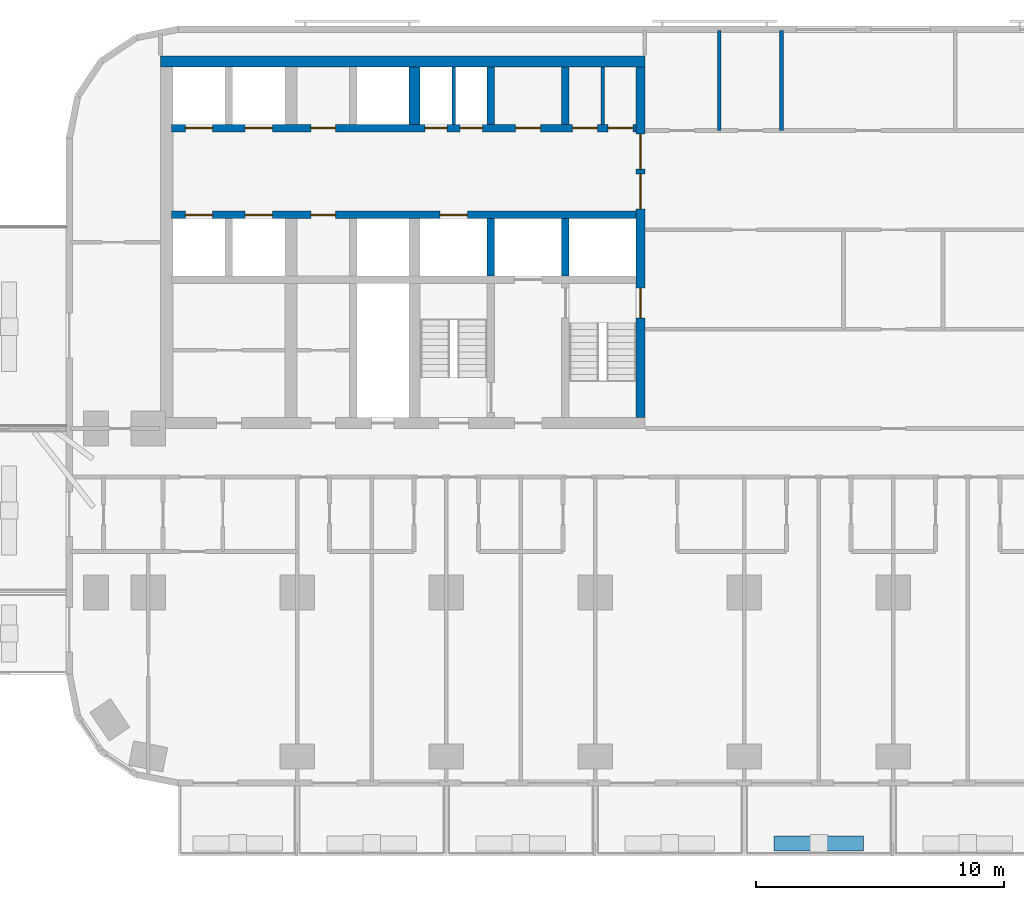
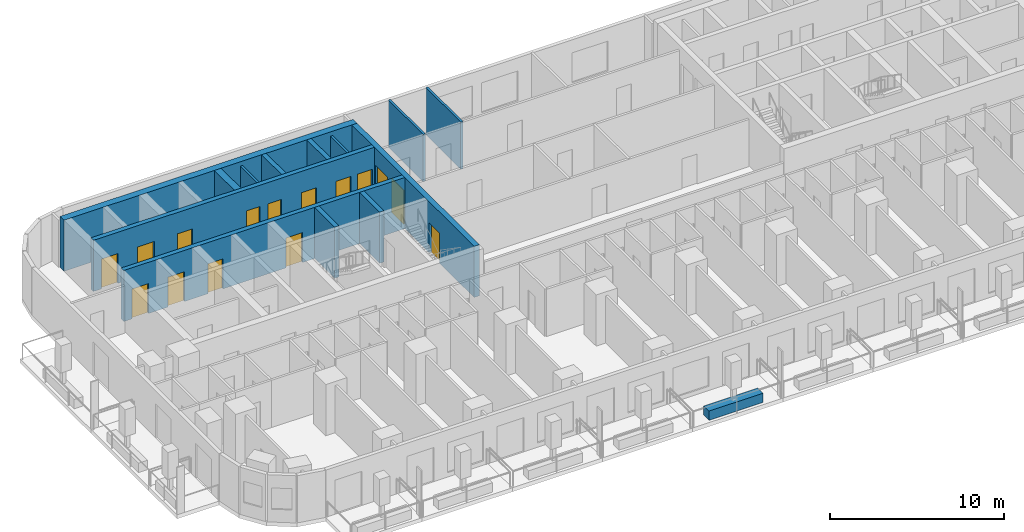
# One storey, part 4 of 15: 15 doors, 14 walls, 15 openings.
"""IFC4 building model written with IfcOpenShell, lengths in metres."""

from ifc_helpers import new_model, si_unit, direction, frame, frame_2d, origin, place, context, subcontext, project, spatial, rectangle, extrude, material, layer, layer_set, type_object, element, fill, save


model = new_model("IFC4")

# Units and contexts
model_context = context("Model", 3, precision=1e-05, world=origin(), true_north=direction((0.0, 1.0)))
body_context = subcontext(model_context, "Body", "Model", "MODEL_VIEW")
ifc_project = project(units=[si_unit("LENGTHUNIT", "METRE"), si_unit("AREAUNIT", "SQUARE_METRE"), si_unit("VOLUMEUNIT", "CUBIC_METRE"), si_unit("PLANEANGLEUNIT", "RADIAN"), si_unit("MASSUNIT", "GRAM", prefix="KILO")], contexts=[model_context])

# Site, building, storey
site_placement = place(None, origin())
site = spatial("IfcSite", under=ifc_project, at=site_placement, CompositionType="ELEMENT")
building_placement = place(site_placement, origin())
building = spatial("IfcBuilding", under=site, at=building_placement, Name="Torana Hotel and Residences", CompositionType="ELEMENT")
storey_placement = place(building_placement, frame((0.0, 0.0, 24.0)))
storey = spatial("IfcBuildingStorey", under=building, at=storey_placement, Name="L04", CompositionType="ELEMENT", Elevation=24.0)

# Wall, openings, doors
ifc_material_1 = material(Name="Concrete C80/95", Category="concrete")
ifc_layer_1 = layer(ifc_material_1, 0.300048828125)
ifc_layer_set_1 = layer_set([ifc_layer_1], Name="CORE WALL 300 C80/95")
wall_type_1 = type_object("IfcWallType", Name="CORE WALL 300 C80/95", PredefinedType="SHEAR", material=ifc_layer_set_1)
wall_1_placement = place(storey_placement, frame((-29.050048828125, -2.89990234375, 0.0), z_axis=(0.0, 0.0, 1.0), x_axis=(1.0, 0.0, 0.0)))
wall_1 = element("IfcWall", 1, at=wall_1_placement, inside=storey, type_object=wall_type_1, Name="Core wall W row-N", PredefinedType="SHEAR", context=body_context, shape_type="SweptSolid", body=[
    extrude(rectangle(XDim=18.699951171875, YDim=0.300048828125, at=frame_2d((9.35009765625, 0.0))), origin(), (0.0, 0.0, 1.0), 3.60009765625),
])
opening_1_placement = place(wall_1_placement, frame((2.949951171875, 0.0, 0.0)))
opening_1 = element("IfcOpeningElement", 2, at=opening_1_placement, cuts=wall_1, Name="Opening LD", PredefinedType="OPENING", context=body_context, shape_type="SweptSolid", body=[
    extrude(rectangle(XDim=1.10009765625, YDim=2.10009765625, at=frame_2d((0.550048828125, 1.050048828125))), frame((0.0, 0.159912109375, 0.0), z_axis=(0.0, -1.0, 0.0), x_axis=(1.0, 0.0, 0.0)), (0.0, 0.0, 1.0), 0.320068359375),
])
opening_2_placement = place(wall_1_placement, frame((0.550048828125, 0.0, 0.0)))
opening_2 = element("IfcOpeningElement", 3, at=opening_2_placement, cuts=wall_1, Name="Opening LD", PredefinedType="OPENING", context=body_context, shape_type="SweptSolid", body=[
    extrude(rectangle(XDim=1.10009765625, YDim=2.10009765625, at=frame_2d((0.550048828125, 1.050048828125))), frame((0.0, 0.159912109375, 0.0), z_axis=(0.0, -1.0, 0.0), x_axis=(1.0, 0.0, 0.0)), (0.0, 0.0, 1.0), 0.320068359375),
])
opening_3_placement = place(wall_1_placement, frame((11.612548828125, 0.0, 0.0)))
opening_3 = element("IfcOpeningElement", 4, at=opening_3_placement, cuts=wall_1, Name="Opening L04-09", PredefinedType="OPENING", context=body_context, shape_type="SweptSolid", body=[
    extrude(rectangle(XDim=0.89990234375, YDim=2.10009765625, at=frame_2d((0.449951171875, 1.050048828125))), frame((0.0, 0.159912109375, 0.0), z_axis=(0.0, -1.0, 0.0), x_axis=(1.0, 0.0, 0.0)), (0.0, 0.0, 1.0), 0.320068359375),
])
opening_4_placement = place(wall_1_placement, frame((10.1875, 0.0, 0.0)))
opening_4 = element("IfcOpeningElement", 5, at=opening_4_placement, cuts=wall_1, Name="Opening L04-10", PredefinedType="OPENING", context=body_context, shape_type="SweptSolid", body=[
    extrude(rectangle(XDim=0.89990234375, YDim=2.10009765625, at=frame_2d((0.449951171875, 1.050048828125))), frame((0.0, 0.159912109375, 0.0), z_axis=(0.0, -1.0, 0.0), x_axis=(1.0, 0.0, 0.0)), (0.0, 0.0, 1.0), 0.320068359375),
])
opening_5_placement = place(wall_1_placement, frame((17.5625, 0.0, 0.0)))
opening_5 = element("IfcOpeningElement", 6, at=opening_5_placement, cuts=wall_1, Name="Opening L04-11", PredefinedType="OPENING", context=body_context, shape_type="SweptSolid", body=[
    extrude(rectangle(XDim=1.0, YDim=2.10009765625, at=frame_2d((0.5, 1.050048828125))), frame((0.0, 0.159912109375, 0.0), z_axis=(0.0, -1.0, 0.0), x_axis=(1.0, 0.0, 0.0)), (0.0, 0.0, 1.0), 0.320068359375),
])
opening_6_placement = place(wall_1_placement, frame((16.137451171875, 0.0, 0.0)))
opening_6 = element("IfcOpeningElement", 7, at=opening_6_placement, cuts=wall_1, Name="Opening L04-12", PredefinedType="OPENING", context=body_context, shape_type="SweptSolid", body=[
    extrude(rectangle(XDim=1.0, YDim=2.10009765625, at=frame_2d((0.5, 1.050048828125))), frame((0.0, 0.159912109375, 0.0), z_axis=(0.0, -1.0, 0.0), x_axis=(1.0, 0.0, 0.0)), (0.0, 0.0, 1.0), 0.320068359375),
])
opening_7_placement = place(wall_1_placement, frame((13.85009765625, 0.0, 0.0)))
opening_7 = element("IfcOpeningElement", 8, at=opening_7_placement, cuts=wall_1, Name="Opening L04-13", PredefinedType="OPENING", context=body_context, shape_type="SweptSolid", body=[
    extrude(rectangle(XDim=1.0, YDim=2.10009765625, at=frame_2d((0.5, 1.050048828125))), frame((0.0, 0.159912109375, 0.0), z_axis=(0.0, -1.0, 0.0), x_axis=(1.0, 0.0, 0.0)), (0.0, 0.0, 1.0), 0.320068359375),
])
opening_8_placement = place(wall_1_placement, frame((5.60009765625, 0.0, 0.0)))
opening_8 = element("IfcOpeningElement", 9, at=opening_8_placement, cuts=wall_1, Name="Opening L04-14", PredefinedType="OPENING", context=body_context, shape_type="SweptSolid", body=[
    extrude(rectangle(XDim=1.0, YDim=2.10009765625, at=frame_2d((0.5, 1.050048828125))), frame((0.0, 0.159912109375, 0.0), z_axis=(0.0, -1.0, 0.0), x_axis=(1.0, 0.0, 0.0)), (0.0, 0.0, 1.0), 0.320068359375),
])
ifc_material_2 = material(Name="Steel S235", Category="steel")
door_type_1 = type_object("IfcDoorType", Name="CORE ROOM FIRE DOOR D14 1000x2100", OperationType="SINGLE_SWING_LEFT", PredefinedType="DOOR", material=ifc_material_2)
door_1_placement = place(opening_5_placement, origin())
door_1 = element("IfcDoor", 10, at=door_1_placement, inside=storey, type_object=door_type_1, Name="N0A door L04", OperationType="SINGLE_SWING_RIGHT", OverallHeight=2.10009765625, OverallWidth=1.0, PredefinedType="DOOR", context=body_context, shape_type="SweptSolid", body=[
    extrude(rectangle(XDim=1.0, YDim=2.10009765625, at=frame_2d((0.5, 1.050048828125))), frame((0.0, 0.02490234375, 0.0), z_axis=(0.0, -1.0, 0.0), x_axis=(1.0, 0.0, 0.0)), (0.0, 0.0, 1.0), 0.050048828125),
])
fill(opening_5, door_1)
door_2_placement = place(opening_6_placement, origin())
door_2 = element("IfcDoor", 11, at=door_2_placement, inside=storey, type_object=door_type_1, Name="N0B door L04", OperationType="SINGLE_SWING_RIGHT", OverallHeight=2.10009765625, OverallWidth=1.0, PredefinedType="DOOR", context=body_context, shape_type="SweptSolid", body=[
    extrude(rectangle(XDim=1.0, YDim=2.10009765625, at=frame_2d((0.5, 1.050048828125))), frame((0.0, 0.02490234375, 0.0), z_axis=(0.0, -1.0, 0.0), x_axis=(1.0, 0.0, 0.0)), (0.0, 0.0, 1.0), 0.050048828125),
])
fill(opening_6, door_2)
door_3_placement = place(opening_7_placement, origin())
door_3 = element("IfcDoor", 12, at=door_3_placement, inside=storey, type_object=door_type_1, Name="N1 door L04", OperationType="SINGLE_SWING_RIGHT", OverallHeight=2.10009765625, OverallWidth=1.0, PredefinedType="DOOR", context=body_context, shape_type="SweptSolid", body=[
    extrude(rectangle(XDim=1.0, YDim=2.10009765625, at=frame_2d((0.5, 1.050048828125))), frame((0.0, 0.02490234375, 0.0), z_axis=(0.0, -1.0, 0.0), x_axis=(1.0, 0.0, 0.0)), (0.0, 0.0, 1.0), 0.050048828125),
])
fill(opening_7, door_3)
door_4_placement = place(opening_8_placement, origin())
door_4 = element("IfcDoor", 13, at=door_4_placement, inside=storey, type_object=door_type_1, Name="Free-M1 door L04", OperationType="SINGLE_SWING_RIGHT", OverallHeight=2.10009765625, OverallWidth=1.0, PredefinedType="DOOR", context=body_context, shape_type="SweptSolid", body=[
    extrude(rectangle(XDim=1.0, YDim=2.10009765625, at=frame_2d((0.5, 1.050048828125))), frame((0.0, 0.02490234375, 0.0), z_axis=(0.0, -1.0, 0.0), x_axis=(1.0, 0.0, 0.0)), (0.0, 0.0, 1.0), 0.050048828125),
])
fill(opening_8, door_4)
ifc_material_3 = material(Name="Stainless steel 316", Category="steel")
door_type_2 = type_object("IfcDoorType", Name="LIFT LANDING DOOR LD 1100x2100", OperationType="DOUBLE_DOOR_SLIDING", PredefinedType="USERDEFINED", material=ifc_material_3)
door_5_placement = place(opening_1_placement, origin())
door_5 = element("IfcDoor", 14, at=door_5_placement, inside=storey, type_object=door_type_2, Name="Lift landing door L1 L04", ObjectType="LIFT LANDING DOOR", OperationType="DOUBLE_DOOR_SLIDING", OverallHeight=2.10009765625, OverallWidth=1.10009765625, PredefinedType="USERDEFINED", context=body_context, shape_type="SweptSolid", body=[
    extrude(rectangle(XDim=1.10009765625, YDim=2.10009765625, at=frame_2d((0.550048828125, 1.050048828125))), frame((0.0, 0.02490234375, 0.0), z_axis=(0.0, -1.0, 0.0), x_axis=(1.0, 0.0, 0.0)), (0.0, 0.0, 1.0), 0.050048828125),
])
fill(opening_1, door_5)
door_6_placement = place(opening_2_placement, origin())
door_6 = element("IfcDoor", 15, at=door_6_placement, inside=storey, type_object=door_type_2, Name="Lift landing door L2 L04", ObjectType="LIFT LANDING DOOR", OperationType="DOUBLE_DOOR_SLIDING", OverallHeight=2.10009765625, OverallWidth=1.10009765625, PredefinedType="USERDEFINED", context=body_context, shape_type="SweptSolid", body=[
    extrude(rectangle(XDim=1.10009765625, YDim=2.10009765625, at=frame_2d((0.550048828125, 1.050048828125))), frame((0.0, 0.02490234375, 0.0), z_axis=(0.0, -1.0, 0.0), x_axis=(1.0, 0.0, 0.0)), (0.0, 0.0, 1.0), 0.050048828125),
])
fill(opening_2, door_6)
ifc_material_4 = material(Name="Steel S235", Category="steel")
door_type_3 = type_object("IfcDoorType", Name="RISER ACCESS DOOR D5 900x2100", OperationType="SINGLE_SWING_LEFT", PredefinedType="DOOR", material=ifc_material_4)
door_7_placement = place(opening_3_placement, origin())
door_7 = element("IfcDoor", 16, at=door_7_placement, inside=storey, type_object=door_type_3, Name="N2A door L04", OperationType="SINGLE_SWING_RIGHT", OverallHeight=2.10009765625, OverallWidth=0.89990234375, PredefinedType="DOOR", context=body_context, shape_type="SweptSolid", body=[
    extrude(rectangle(XDim=0.89990234375, YDim=2.10009765625, at=frame_2d((0.449951171875, 1.050048828125))), frame((0.0, 0.02490234375, 0.0), z_axis=(0.0, -1.0, 0.0), x_axis=(1.0, 0.0, 0.0)), (0.0, 0.0, 1.0), 0.050048828125),
])
fill(opening_3, door_7)
door_8_placement = place(opening_4_placement, origin())
door_8 = element("IfcDoor", 17, at=door_8_placement, inside=storey, type_object=door_type_3, Name="N2B door L04", OperationType="SINGLE_SWING_RIGHT", OverallHeight=2.10009765625, OverallWidth=0.89990234375, PredefinedType="DOOR", context=body_context, shape_type="SweptSolid", body=[
    extrude(rectangle(XDim=0.89990234375, YDim=2.10009765625, at=frame_2d((0.449951171875, 1.050048828125))), frame((0.0, 0.02490234375, 0.0), z_axis=(0.0, -1.0, 0.0), x_axis=(1.0, 0.0, 0.0)), (0.0, 0.0, 1.0), 0.050048828125),
])
fill(opening_4, door_8)

wall_2_placement = place(storey_placement, frame((-29.050048828125, -6.39990234375, 0.0), z_axis=(0.0, 0.0, 1.0), x_axis=(1.0, 0.0, 0.0)))
wall_2 = element("IfcWall", 18, at=wall_2_placement, inside=storey, type_object=wall_type_1, Name="Core wall W row-S", PredefinedType="SHEAR", context=body_context, shape_type="SweptSolid", body=[
    extrude(rectangle(XDim=18.699951171875, YDim=0.300048828125, at=frame_2d((9.35009765625, 0.0))), origin(), (0.0, 0.0, 1.0), 3.60009765625),
])
opening_9_placement = place(wall_2_placement, frame((2.949951171875, 0.0, 0.0)))
opening_9 = element("IfcOpeningElement", 19, at=opening_9_placement, cuts=wall_2, Name="Opening LD", PredefinedType="OPENING", context=body_context, shape_type="SweptSolid", body=[
    extrude(rectangle(XDim=1.10009765625, YDim=2.10009765625, at=frame_2d((0.550048828125, 1.050048828125))), frame((0.0, 0.159912109375, 0.0), z_axis=(0.0, -1.0, 0.0), x_axis=(1.0, 0.0, 0.0)), (0.0, 0.0, 1.0), 0.320068359375),
])
opening_10_placement = place(wall_2_placement, frame((0.550048828125, 0.0, 0.0)))
opening_10 = element("IfcOpeningElement", 20, at=opening_10_placement, cuts=wall_2, Name="Opening LD", PredefinedType="OPENING", context=body_context, shape_type="SweptSolid", body=[
    extrude(rectangle(XDim=1.10009765625, YDim=2.10009765625, at=frame_2d((0.550048828125, 1.050048828125))), frame((0.0, 0.159912109375, 0.0), z_axis=(0.0, -1.0, 0.0), x_axis=(1.0, 0.0, 0.0)), (0.0, 0.0, 1.0), 0.320068359375),
])
opening_11_placement = place(wall_2_placement, frame((10.800048828125, 0.0, 0.0)))
opening_11 = element("IfcOpeningElement", 21, at=opening_11_placement, cuts=wall_2, Name="Opening LD", PredefinedType="OPENING", context=body_context, shape_type="SweptSolid", body=[
    extrude(rectangle(XDim=1.10009765625, YDim=2.10009765625, at=frame_2d((0.550048828125, 1.050048828125))), frame((0.0, 0.159912109375, 0.0), z_axis=(0.0, -1.0, 0.0), x_axis=(1.0, 0.0, 0.0)), (0.0, 0.0, 1.0), 0.320068359375),
])
opening_12_placement = place(wall_2_placement, frame((5.60009765625, 0.0, 0.0)))
opening_12 = element("IfcOpeningElement", 22, at=opening_12_placement, cuts=wall_2, Name="Opening L04-15", PredefinedType="OPENING", context=body_context, shape_type="SweptSolid", body=[
    extrude(rectangle(XDim=1.0, YDim=2.10009765625, at=frame_2d((0.5, 1.050048828125))), frame((0.0, 0.159912109375, 0.0), z_axis=(0.0, -1.0, 0.0), x_axis=(1.0, 0.0, 0.0)), (0.0, 0.0, 1.0), 0.320068359375),
])
door_9_placement = place(opening_12_placement, frame((0.5, 0.0, 0.0), z_axis=(0.0, 0.0, 1.0), x_axis=(-1.0, 0.0, 0.0)))
door_9 = element("IfcDoor", 23, at=door_9_placement, inside=storey, type_object=door_type_1, Name="Free-M2 door L04", OperationType="SINGLE_SWING_LEFT", OverallHeight=2.10009765625, OverallWidth=1.0, PredefinedType="DOOR", context=body_context, shape_type="SweptSolid", body=[
    extrude(rectangle(XDim=1.0, YDim=2.10009765625, at=frame_2d((0.0, 1.050048828125))), frame((0.0, -0.02490234375, 0.0), z_axis=(0.0, 1.0, 0.0), x_axis=(-1.0, 0.0, 0.0)), (0.0, 0.0, 1.0), 0.050048828125),
])
fill(opening_12, door_9)
door_10_placement = place(opening_9_placement, origin())
door_10 = element("IfcDoor", 24, at=door_10_placement, inside=storey, type_object=door_type_2, Name="Lift landing door L3 L04", ObjectType="LIFT LANDING DOOR", OperationType="DOUBLE_DOOR_SLIDING", OverallHeight=2.10009765625, OverallWidth=1.10009765625, PredefinedType="USERDEFINED", context=body_context, shape_type="SweptSolid", body=[
    extrude(rectangle(XDim=1.10009765625, YDim=2.10009765625, at=frame_2d((0.550048828125, 1.050048828125))), frame((0.0, 0.02490234375, 0.0), z_axis=(0.0, -1.0, 0.0), x_axis=(1.0, 0.0, 0.0)), (0.0, 0.0, 1.0), 0.050048828125),
])
fill(opening_9, door_10)
door_11_placement = place(opening_10_placement, origin())
door_11 = element("IfcDoor", 25, at=door_11_placement, inside=storey, type_object=door_type_2, Name="Lift landing door L4 L04", ObjectType="LIFT LANDING DOOR", OperationType="DOUBLE_DOOR_SLIDING", OverallHeight=2.10009765625, OverallWidth=1.10009765625, PredefinedType="USERDEFINED", context=body_context, shape_type="SweptSolid", body=[
    extrude(rectangle(XDim=1.10009765625, YDim=2.10009765625, at=frame_2d((0.550048828125, 1.050048828125))), frame((0.0, 0.02490234375, 0.0), z_axis=(0.0, -1.0, 0.0), x_axis=(1.0, 0.0, 0.0)), (0.0, 0.0, 1.0), 0.050048828125),
])
fill(opening_10, door_11)
door_12_placement = place(opening_11_placement, origin())
door_12 = element("IfcDoor", 26, at=door_12_placement, inside=storey, type_object=door_type_2, Name="Lift landing door SV1 L04", ObjectType="LIFT LANDING DOOR", OperationType="DOUBLE_DOOR_SLIDING", OverallHeight=2.10009765625, OverallWidth=1.10009765625, PredefinedType="USERDEFINED", context=body_context, shape_type="SweptSolid", body=[
    extrude(rectangle(XDim=1.10009765625, YDim=2.10009765625, at=frame_2d((0.550048828125, 1.050048828125))), frame((0.0, 0.02490234375, 0.0), z_axis=(0.0, -1.0, 0.0), x_axis=(1.0, 0.0, 0.0)), (0.0, 0.0, 1.0), 0.050048828125),
])
fill(opening_11, door_12)

# Walls
for number, where, z_axis, x_axis, name in (
    (27, (-13.199951171875, -2.75, 0.0), (0.0, 0.0, 1.0), (0.0, 1.0, 0.0), "Core wall W x3.05-N"),
    (28, (-13.199951171875, -8.85009765625, 0.0), (0.0, 0.0, 1.0), (0.0, 1.0, 0.0), "Core wall W x3.05-S"),
    (29, (-16.199951171875, -2.75, 0.0), (0.0, 0.0, 1.0), (0.0, 1.0, 0.0), "Core wall W x6.05-N"),
    (30, (-16.199951171875, -8.85009765625, 0.0), (0.0, 0.0, 1.0), (0.0, 1.0, 0.0), "Core wall W x6.05-S"),
):
    element("IfcWall", number, at=place(storey_placement, frame(where, z_axis=z_axis, x_axis=x_axis)), inside=storey, type_object=wall_type_1, Name=name, PredefinedType="SHEAR", context=body_context, shape_type="SweptSolid", body=[
        extrude(rectangle(XDim=2.300048828125, YDim=0.300048828125, at=frame_2d((1.14990234375, 0.0))), origin(), (0.0, 0.0, 1.0), 3.60009765625),
    ])

# Wall, openings, doors
ifc_material_5 = material(Name="Concrete C80/95", Category="concrete")
ifc_layer_2 = layer(ifc_material_5, 0.35009765625)
ifc_layer_set_2 = layer_set([ifc_layer_2], Name="CORE WALL 350 C80/95")
wall_type_2 = type_object("IfcWallType", Name="CORE WALL 350 C80/95", PredefinedType="SHEAR", material=ifc_layer_set_2)
wall_3_placement = place(storey_placement, frame((-10.175048828125, -14.550048828125, 0.0), z_axis=(0.0, 0.0, 1.0), x_axis=(0.0, 1.0, 0.0)))
wall_3 = element("IfcWall", 31, at=wall_3_placement, inside=storey, type_object=wall_type_2, Name="Core wall W arch", PredefinedType="SHEAR", context=body_context, shape_type="SweptSolid", body=[
    extrude(rectangle(XDim=14.10009765625, YDim=0.35009765625, at=frame_2d((7.050048828125, 0.0))), origin(), (0.0, 0.0, 1.0), 3.60009765625),
])
opening_13_placement = place(wall_3_placement, frame((8.39990234375, 0.0, 0.0)))
opening_13 = element("IfcOpeningElement", 32, at=opening_13_placement, cuts=wall_3, Name="Opening L04-01", PredefinedType="OPENING", context=body_context, shape_type="SweptSolid", body=[
    extrude(rectangle(XDim=1.39990234375, YDim=2.39990234375, at=frame_2d((0.699951171875, 1.199951171875))), frame((0.0, 0.18505859375, 0.0), z_axis=(0.0, -1.0, 0.0), x_axis=(1.0, 0.0, 0.0)), (0.0, 0.0, 1.0), 0.3701171875),
])
opening_14_placement = place(wall_3_placement, frame((10.0, 0.0, 0.0)))
opening_14 = element("IfcOpeningElement", 33, at=opening_14_placement, cuts=wall_3, Name="Opening L04-02", PredefinedType="OPENING", context=body_context, shape_type="SweptSolid", body=[
    extrude(rectangle(XDim=1.39990234375, YDim=2.39990234375, at=frame_2d((0.699951171875, 1.199951171875))), frame((0.0, 0.18505859375, 0.0), z_axis=(0.0, -1.0, 0.0), x_axis=(1.0, 0.0, 0.0)), (0.0, 0.0, 1.0), 0.3701171875),
])
opening_15_placement = place(wall_3_placement, frame((4.0, 0.0, 0.0)))
opening_15 = element("IfcOpeningElement", 34, at=opening_15_placement, cuts=wall_3, Name="Opening L04-03", PredefinedType="OPENING", context=body_context, shape_type="SweptSolid", body=[
    extrude(rectangle(XDim=1.199951171875, YDim=2.10009765625, at=frame_2d((0.60009765625, 1.050048828125))), frame((0.0, 0.18505859375, 0.0), z_axis=(0.0, -1.0, 0.0), x_axis=(1.0, 0.0, 0.0)), (0.0, 0.0, 1.0), 0.3701171875),
])
ifc_material_6 = material(Name="Steel S235", Category="steel")
door_type_4 = type_object("IfcDoorType", Name="LOBBY FIRE DOOR D4 1400x2400", OperationType="DOUBLE_DOOR_SINGLE_SWING", PredefinedType="DOOR", material=ifc_material_6)
door_13_placement = place(opening_13_placement, origin())
door_13 = element("IfcDoor", 35, at=door_13_placement, inside=storey, type_object=door_type_4, Name="Lobby-1 door L04", OperationType="DOUBLE_DOOR_SINGLE_SWING", OverallHeight=2.39990234375, OverallWidth=1.39990234375, PredefinedType="DOOR", context=body_context, shape_type="SweptSolid", body=[
    extrude(rectangle(XDim=1.39990234375, YDim=2.39990234375, at=frame_2d((0.699951171875, 1.199951171875))), frame((0.0, 0.02490234375, 0.0), z_axis=(0.0, -1.0, 0.0), x_axis=(1.0, 0.0, 0.0)), (0.0, 0.0, 1.0), 0.050048828125),
])
fill(opening_13, door_13)
door_14_placement = place(opening_14_placement, origin())
door_14 = element("IfcDoor", 36, at=door_14_placement, inside=storey, type_object=door_type_4, Name="Lobby-2 door L04", OperationType="DOUBLE_DOOR_SINGLE_SWING", OverallHeight=2.39990234375, OverallWidth=1.39990234375, PredefinedType="DOOR", context=body_context, shape_type="SweptSolid", body=[
    extrude(rectangle(XDim=1.39990234375, YDim=2.39990234375, at=frame_2d((0.699951171875, 1.199951171875))), frame((0.0, 0.02490234375, 0.0), z_axis=(0.0, -1.0, 0.0), x_axis=(1.0, 0.0, 0.0)), (0.0, 0.0, 1.0), 0.050048828125),
])
fill(opening_14, door_14)
ifc_material_7 = material(Name="Steel S235", Category="steel")
door_type_5 = type_object("IfcDoorType", Name="STAIR FIRE DOOR D3 1200x2100", OperationType="SINGLE_SWING_LEFT", PredefinedType="DOOR", material=ifc_material_7)
door_15_placement = place(opening_15_placement, origin())
door_15 = element("IfcDoor", 37, at=door_15_placement, inside=storey, type_object=door_type_5, Name="Stair-A door L04", OperationType="SINGLE_SWING_LEFT", OverallHeight=2.10009765625, OverallWidth=1.199951171875, PredefinedType="DOOR", context=body_context, shape_type="SweptSolid", body=[
    extrude(rectangle(XDim=1.199951171875, YDim=2.10009765625, at=frame_2d((0.60009765625, 1.050048828125))), frame((0.0, 0.02490234375, 0.0), z_axis=(0.0, -1.0, 0.0), x_axis=(1.0, 0.0, 0.0)), (0.0, 0.0, 1.0), 0.050048828125),
])
fill(opening_15, door_15)

# Walls
ifc_material_8 = material(Name="Concrete C80/95", Category="concrete")
ifc_layer_3 = layer(ifc_material_8, 0.449951171875)
ifc_layer_set_3 = layer_set([ifc_layer_3], Name="CORE WALL 450 C80/95")
wall_type_3 = type_object("IfcWallType", Name="CORE WALL 450 C80/95", PredefinedType="SHEAR", material=ifc_layer_set_3)
wall_4_placement = place(storey_placement, frame((-29.5, -0.22509765625, 0.0), z_axis=(0.0, 0.0, 1.0), x_axis=(1.0, 0.0, 0.0)))
element("IfcWall", 38, at=wall_4_placement, inside=storey, type_object=wall_type_3, Name="Core wall W rear", PredefinedType="SHEAR", context=body_context, shape_type="SweptSolid", body=[
    extrude(rectangle(XDim=19.5, YDim=0.449951171875, at=frame_2d((9.75, 0.0))), origin(), (0.0, 0.0, 1.0), 3.60009765625),
])
wall_5_placement = place(storey_placement, frame((-19.27490234375, -2.75, 0.0), z_axis=(0.0, 0.0, 1.0), x_axis=(0.0, 1.0, 0.0)))
element("IfcWall", 39, at=wall_5_placement, inside=storey, type_object=wall_type_3, Name="Core wall W hm-N", PredefinedType="SHEAR", context=body_context, shape_type="SweptSolid", body=[
    extrude(rectangle(XDim=2.300048828125, YDim=0.449951171875, at=frame_2d((1.14990234375, 0.0))), origin(), (0.0, 0.0, 1.0), 3.60009765625),
])
ifc_material_9 = material(Name="Gypsum plaster")
ifc_layer_4 = layer(ifc_material_9, 0.014892578125, Name="Plaster", Category="finish")
ifc_material_10 = material(Name="Concrete blockwork", Category="masonry")
ifc_layer_5 = layer(ifc_material_10, 0.1201171875, Name="Blockwork", Category="structure")
ifc_layer_6 = layer(ifc_material_9, 0.014892578125, Name="Plaster", Category="finish")
ifc_layer_set_4 = layer_set([ifc_layer_4, ifc_layer_5, ifc_layer_6], Name="FIRE PARTITION 150 BLOCKWORK")
wall_type_4 = type_object("IfcWallType", Name="FIRE PARTITION 150 BLOCKWORK", PredefinedType="PARTITIONING", material=ifc_layer_set_4)
for number, where, z_axis, x_axis, name in (
    (40, (-17.699951171875, -2.75, 0.0), (0.0, 0.0, 1.0), (0.0, 1.0, 0.0), "Core partition L04"),
    (41, (-11.699951171875, -2.75, 0.0), (0.0, 0.0, 1.0), (0.0, 1.0, 0.0), "Core partition L04"),
):
    element("IfcWall", number, at=place(storey_placement, frame(where, z_axis=z_axis, x_axis=x_axis)), inside=storey, type_object=wall_type_4, Name=name, PredefinedType="PARTITIONING", context=body_context, shape_type="SweptSolid", body=[
        extrude(rectangle(XDim=2.300048828125, YDim=0.14990234375, at=frame_2d((1.14990234375, 0.0))), origin(), (0.0, 0.0, 1.0), 3.300048828125),
    ])
ifc_material_11 = material(Name="Concrete C40/50 precast", Category="concrete")
ifc_layer_7 = layer(ifc_material_11, 0.10009765625, Name="Planter shell", Category="structure")
ifc_material_12 = material(Name="Root resistant membrane")
ifc_layer_8 = layer(ifc_material_12, 0.00390625, Name="Waterproofing membrane", Category="membrane")
ifc_material_13 = material(Name="Drainage board with filter fleece")
ifc_layer_9 = layer(ifc_material_13, 0.02001953125, Name="Drainage board", Category="drainage")
ifc_material_14 = material(Name="Growing medium")
ifc_layer_10 = layer(ifc_material_14, 0.47607421875, Name="Planting substrate", Category="soil")
ifc_layer_set_5 = layer_set([ifc_layer_7, ifc_layer_8, ifc_layer_9, ifc_layer_10], Name="PL1 BALCONY PLANTER 600")
wall_type_5 = type_object("IfcWallType", Name="PL1 BALCONY PLANTER 600", PredefinedType="USERDEFINED", material=ifc_layer_set_5)
wall_6_placement = place(storey_placement, frame((-1.199951171875, -31.699951171875, 0.0), z_axis=(0.0, 0.0, 1.0), x_axis=(-1.0, 0.0, 0.0)))
element("IfcWall", 42, at=wall_6_placement, inside=storey, type_object=wall_type_5, Name="Planter 05", ObjectType="PLANTER", PredefinedType="USERDEFINED", context=body_context, shape_type="SweptSolid", body=[
    extrude(rectangle(XDim=3.60009765625, YDim=0.60009765625, at=frame_2d((1.800048828125, 0.0))), origin(), (0.0, 0.0, 1.0), 0.64990234375),
])
ifc_material_15 = material(Name="Ceramic tile on adhesive")
ifc_layer_11 = layer(ifc_material_15, 0.010009765625, Name="Wall tile", Category="finish")
ifc_material_16 = material(Name="Cement render")
ifc_layer_12 = layer(ifc_material_16, 0.010009765625, Name="Render", Category="finish")
ifc_layer_13 = layer(ifc_material_10, 0.110107421875, Name="Blockwork", Category="structure")
ifc_layer_14 = layer(ifc_material_16, 0.010009765625, Name="Render", Category="finish")
ifc_layer_15 = layer(ifc_material_15, 0.010009765625, Name="Wall tile", Category="finish")
ifc_layer_set_6 = layer_set([ifc_layer_11, ifc_layer_12, ifc_layer_13, ifc_layer_14, ifc_layer_15], Name="WC PARTITION 150")
wall_type_6 = type_object("IfcWallType", Name="WC PARTITION 150", PredefinedType="PLUMBINGWALL", material=ifc_layer_set_6)
for number, where, z_axis, x_axis, name in (
    (43, (-4.5, -3.0, 0.0), (0.0, 0.0, 1.0), (0.0, 1.0, 0.0), "Partition L04"),
    (44, (-7.0, -3.0, 0.0), (0.0, 0.0, 1.0), (0.0, 1.0, 0.0), "Partition L04"),
):
    element("IfcWall", number, at=place(storey_placement, frame(where, z_axis=z_axis, x_axis=x_axis)), inside=storey, type_object=wall_type_6, Name=name, PredefinedType="PLUMBINGWALL", context=body_context, shape_type="SweptSolid", body=[
        extrude(rectangle(XDim=4.02001953125, YDim=0.14990234375, at=frame_2d((2.010009765625, 0.0))), origin(), (0.0, 0.0, 1.0), 3.320068359375),
    ])

save(model, "model.ifc")
